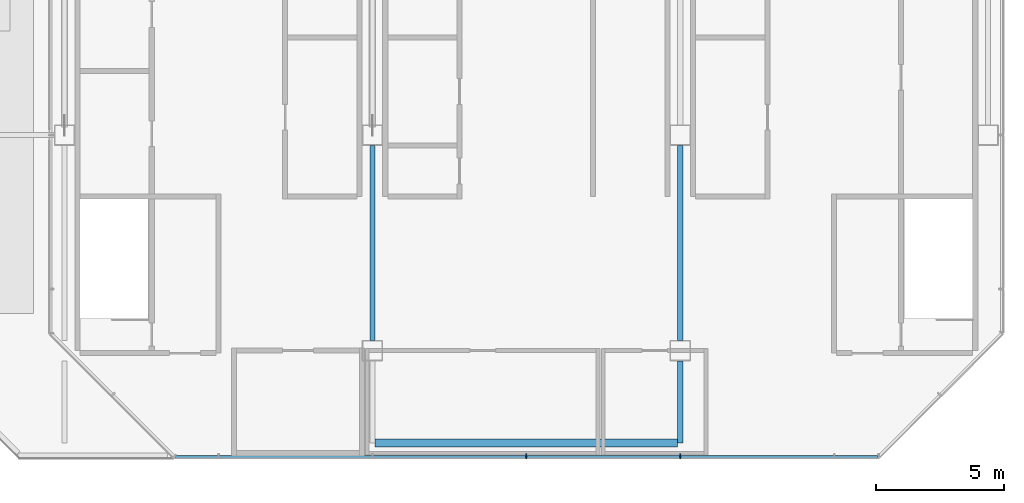
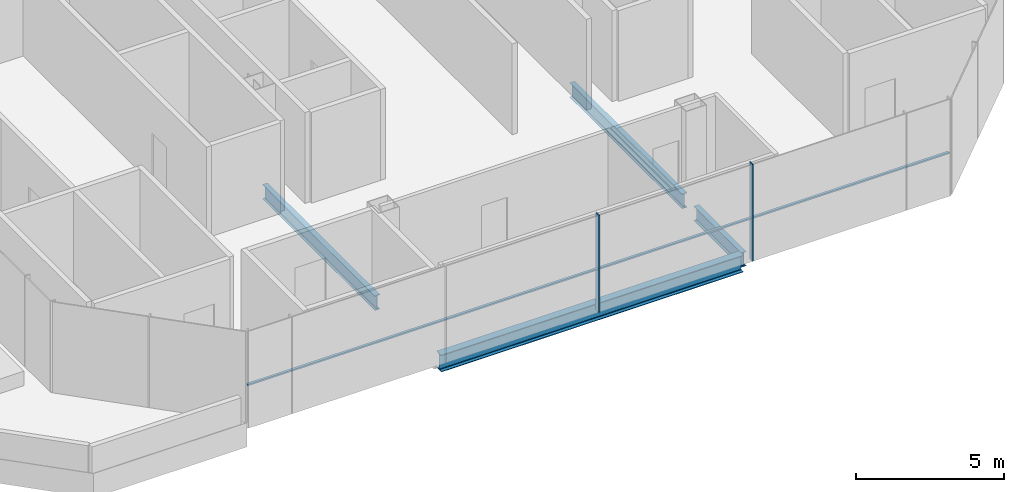
# One storey, part 3 of 12: 4 beams, 3 members, 1 element without a shape of its own.
"""IFC4 building model written with IfcOpenShell, lengths in metres."""

from ifc_helpers import new_model, si_unit, direction, frame, origin, origin_2d, place, context, subcontext, project, spatial, rectangle, i_section, extrude, material, material_profile, profile_set, type_object, element, aggregate, save


model = new_model("IFC4")

# Units and contexts
model_context = context("Model", 3, precision=1e-05, world=origin(), true_north=direction((0.0, 1.0)))
body_context = subcontext(model_context, "Body", "Model", "MODEL_VIEW")
ifc_project = project(units=[si_unit("LENGTHUNIT", "METRE"), si_unit("AREAUNIT", "SQUARE_METRE"), si_unit("VOLUMEUNIT", "CUBIC_METRE"), si_unit("PLANEANGLEUNIT", "RADIAN"), si_unit("MASSUNIT", "GRAM", prefix="KILO")], contexts=[model_context])

# Site, building, storey
site_placement = place(None, origin())
site = spatial("IfcSite", under=ifc_project, at=site_placement, CompositionType="ELEMENT")
building_placement = place(site_placement, origin())
building = spatial("IfcBuilding", under=site, at=building_placement, Name="Sorahane Residences", CompositionType="ELEMENT")
storey_placement = place(building_placement, frame((0.0, 0.0, 353.800048828125)))
storey = spatial("IfcBuildingStorey", under=building, at=storey_placement, Name="L84", CompositionType="ELEMENT", Elevation=353.800048828125)

# Curtain wall, members
ifc_material_1 = material(Name="Dark low-e glass and black anodised aluminium", Category="aluminium")
curtain_wall_type = type_object("IfcCurtainWallType", Name="Curtain wall CW-6 Crown unitised wall", PredefinedType="NOTDEFINED", material=ifc_material_1)
curtain_wall_placement = place(storey_placement, origin())
curtain_wall = element("IfcCurtainWall", 1, at=curtain_wall_placement, inside=storey, type_object=curtain_wall_type, Name="CW-6 curtain wall L84 S1", PredefinedType="NOTDEFINED")
ifc_material_2 = material(Name="Black anodised aluminium", Category="aluminium")
ifc_material_profile_1 = material_profile(ifc_material_2, rectangle(XDim=0.199951171875, YDim=0.050048828125, at=origin_2d()), Name="Curtain wall mullion CW-6 black anodised aluminium 50x200")
ifc_profile_set_1 = profile_set([ifc_material_profile_1], Name="Black anodised aluminium")
member_type_1 = type_object("IfcMemberType", Name="Curtain wall mullion CW-6 black anodised aluminium 50x200", PredefinedType="MULLION", material=ifc_profile_set_1)
member_1_placement = place(storey_placement, frame((24.0, 17.47998046875, -0.25), z_axis=(0.0, 0.0, 1.0), x_axis=(0.0, -1.0, 0.0)))
member_1 = element("IfcMember", 2, at=member_1_placement, type_object=member_type_1, Name="CW-6 mullion L84 S1.4", PredefinedType="MULLION", context=body_context, shape_type="SweptSolid", body=[
    extrude(rectangle(XDim=0.199951171875, YDim=0.050048828125, at=origin_2d()), origin(), (0.0, 0.0, 1.0), 4.0),
])
member_2_placement = place(storey_placement, frame((30.0, 17.47998046875, -0.25), z_axis=(0.0, 0.0, 1.0), x_axis=(0.0, -1.0, 0.0)))
member_2 = element("IfcMember", 3, at=member_2_placement, type_object=member_type_1, Name="CW-6 mullion L84 S1.5", PredefinedType="MULLION", context=body_context, shape_type="SweptSolid", body=[
    extrude(rectangle(XDim=0.199951171875, YDim=0.050048828125, at=origin_2d()), origin(), (0.0, 0.0, 1.0), 4.0),
])
ifc_material_3 = material(Name="Black anodised aluminium", Category="aluminium")
ifc_material_profile_2 = material_profile(ifc_material_3, rectangle(XDim=0.10009765625, YDim=0.06005859375, at=origin_2d()), Name="Curtain wall transom CW-6 black anodised aluminium 60x100")
ifc_profile_set_2 = profile_set([ifc_material_profile_2], Name="Black anodised aluminium")
member_type_2 = type_object("IfcMemberType", Name="Curtain wall transom CW-6 black anodised aluminium 60x100", PredefinedType="USERDEFINED", material=ifc_profile_set_2)
member_3_placement = place(storey_placement, frame((10.301513671875, 17.469970703125, 1.5), z_axis=(1.0, 0.0, 0.0), x_axis=(0.0, 1.0, 0.0)))
member_3 = element("IfcMember", 4, at=member_3_placement, type_object=member_type_2, Name="CW-6 transom L84 S1", ObjectType="TRANSOM", PredefinedType="USERDEFINED", context=body_context, shape_type="SweptSolid", body=[
    extrude(rectangle(XDim=0.10009765625, YDim=0.06005859375, at=origin_2d()), origin(), (0.0, 0.0, 1.0), 27.39697265625),
])
aggregate(curtain_wall, [member_1, member_2, member_3])

# Beams
ifc_material_4 = material(Name="Steel Q355B", Category="steel")
ifc_material_profile_3 = material_profile(ifc_material_4, i_section(OverallWidth=0.199951171875, OverallDepth=0.60009765625, WebThickness=0.010986328125, FlangeThickness=0.01708984375, FilletRadius=0.02392578125, at=origin_2d()), Name="HN 600x200x11x17")
ifc_profile_set_3 = profile_set([ifc_material_profile_3], Name="Steel Q355B")
beam_type_1 = type_object("IfcBeamType", Name="Steel floor beam HN 600x200x11x17 Q355B", PredefinedType="BEAM", material=ifc_profile_set_3)
for number, where, z_axis, x_axis, name in (
    (5, (18.0, 22.0, -0.550048828125), (0.0, 1.0, 0.0), (-1.0, 0.0, 0.0), "Beam L84 012"),
    (6, (30.0, 22.0, -0.550048828125), (0.0, 1.0, 0.0), (-1.0, 0.0, 0.0), "Beam L84 018"),
):
    element("IfcBeam", number, at=place(storey_placement, frame(where, z_axis=z_axis, x_axis=x_axis)), inside=storey, type_object=beam_type_1, Name=name, PredefinedType="BEAM", context=body_context, shape_type="SweptSolid", body=[
        extrude(i_section(OverallWidth=0.199951171875, OverallDepth=0.60009765625, WebThickness=0.010986328125, FlangeThickness=0.01708984375, FilletRadius=0.02392578125, at=origin_2d()), origin(), (0.0, 0.0, 1.0), 7.60009765625),
    ])
beam_1_placement = place(storey_placement, frame((30.0, 18.0, -0.550048828125), z_axis=(0.0, 1.0, 0.0), x_axis=(-1.0, 0.0, 0.0)))
element("IfcBeam", 7, at=beam_1_placement, inside=storey, type_object=beam_type_1, Name="Beam L84 022", PredefinedType="BEAM", context=body_context, shape_type="SweptSolid", body=[
    extrude(i_section(OverallWidth=0.199951171875, OverallDepth=0.60009765625, WebThickness=0.010986328125, FlangeThickness=0.01708984375, FilletRadius=0.02392578125, at=origin_2d()), origin(), (0.0, 0.0, 1.0), 3.199951171875),
])
ifc_material_5 = material(Name="Steel Q355B", Category="steel")
ifc_material_profile_4 = material_profile(ifc_material_5, i_section(OverallWidth=0.300048828125, OverallDepth=0.699951171875, WebThickness=0.012939453125, FlangeThickness=0.02392578125, FilletRadius=0.028076171875, at=origin_2d()), Name="HN 700x300x13x24")
ifc_profile_set_4 = profile_set([ifc_material_profile_4], Name="Steel Q355B")
beam_type_2 = type_object("IfcBeamType", Name="Steel floor beam HN 700x300x13x24 Q355B", PredefinedType="BEAM", material=ifc_profile_set_4)
beam_2_placement = place(storey_placement, frame((18.10009765625, 18.0, -0.60009765625), z_axis=(1.0, 0.0, 0.0), x_axis=(0.0, 1.0, 0.0)))
element("IfcBeam", 8, at=beam_2_placement, inside=storey, type_object=beam_type_2, Name="Beam L84 026", PredefinedType="BEAM", context=body_context, shape_type="SweptSolid", body=[
    extrude(i_section(OverallWidth=0.300048828125, OverallDepth=0.699951171875, WebThickness=0.012939453125, FlangeThickness=0.02392578125, FilletRadius=0.028076171875, at=origin_2d()), origin(), (0.0, 0.0, 1.0), 11.7998046875),
])

save(model, "model.ifc")
